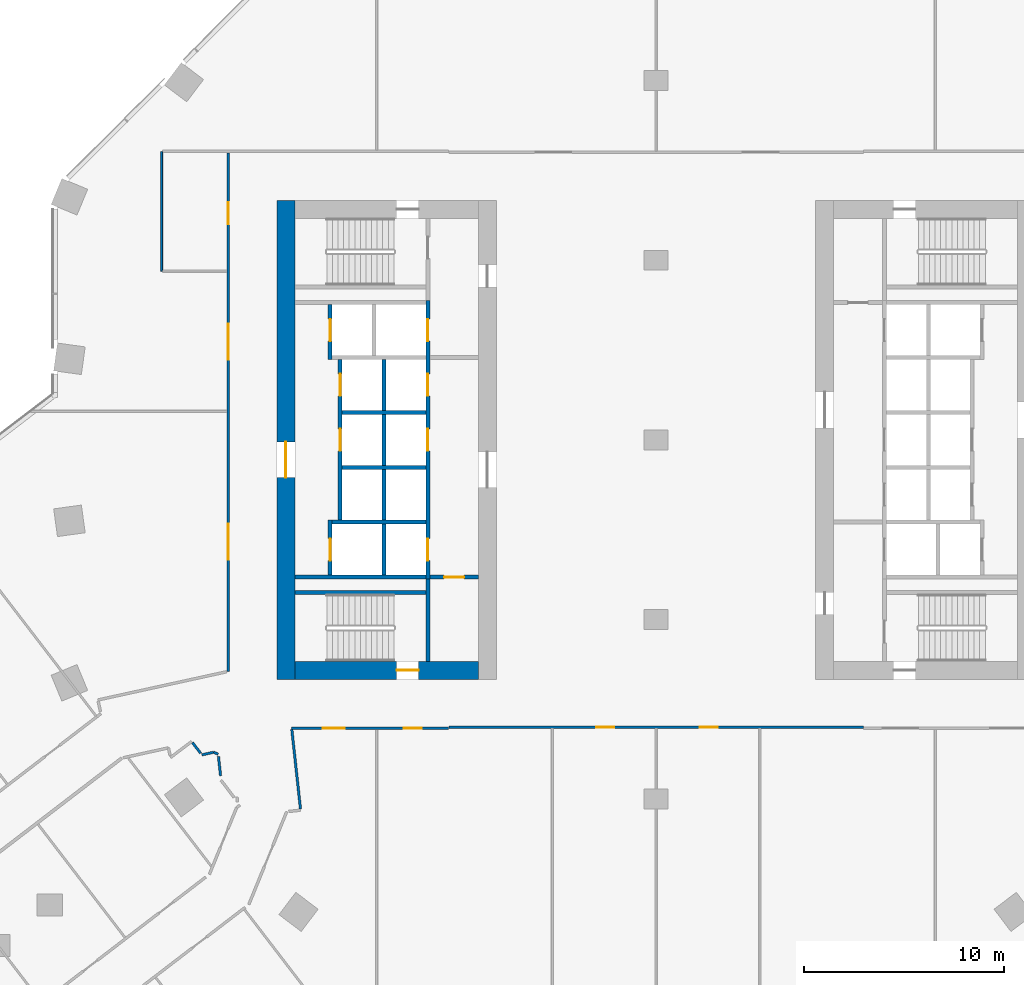
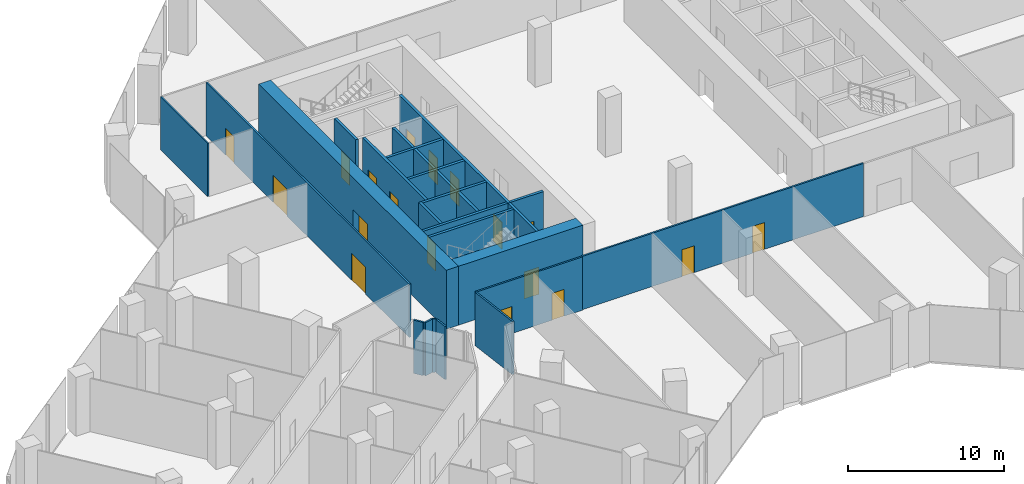
# One storey, part 24 of 30: 26 walls, 18 doors, 18 openings.
"""IFC4 building model written with IfcOpenShell, lengths in metres."""

from ifc_helpers import new_model, si_unit, direction, frame, frame_2d, origin, place, context, subcontext, project, spatial, rectangle, extrude, material, layer, layer_set, type_object, element, fill, save


model = new_model("IFC4")

# Units and contexts
model_context = context("Model", 3, precision=1e-05, world=origin(), true_north=direction((0.0, 1.0)))
body_context = subcontext(model_context, "Body", "Model", "MODEL_VIEW")
ifc_project = project(units=[si_unit("LENGTHUNIT", "METRE"), si_unit("AREAUNIT", "SQUARE_METRE"), si_unit("VOLUMEUNIT", "CUBIC_METRE"), si_unit("PLANEANGLEUNIT", "RADIAN"), si_unit("MASSUNIT", "GRAM", prefix="KILO")], contexts=[model_context])

# Site, building, storey
site_placement = place(None, origin())
site = spatial("IfcSite", under=ifc_project, at=site_placement, CompositionType="ELEMENT")
building_placement = place(site_placement, origin())
building = spatial("IfcBuilding", under=site, at=building_placement, Name="Orlundy Tower", CompositionType="ELEMENT")
storey_placement = place(building_placement, frame((0.0, 0.0, 20.5)))
storey = spatial("IfcBuildingStorey", under=building, at=storey_placement, Name="L03", CompositionType="ELEMENT", Elevation=20.5)

# Wall, opening, door
ifc_material_1 = material(Name="Concrete C80/95", Category="concrete")
ifc_layer_1 = layer(ifc_material_1, 0.89990234375)
ifc_layer_set_1 = layer_set([ifc_layer_1], Name="CORE WALL 900 C80/95")
wall_type_1 = type_object("IfcWallType", Name="CORE WALL 900 C80/95", PredefinedType="SHEAR", material=ifc_layer_set_1)
wall_1_placement = place(storey_placement, frame((-18.10009765625, -11.550048828125, 0.0), z_axis=(0.0, 0.0, 1.0), x_axis=(1.0, 0.0, 0.0)))
wall_1 = element("IfcWall", 1, at=wall_1_placement, inside=storey, type_object=wall_type_1, Name="Core wall W-S L03", PredefinedType="SHEAR", context=body_context, shape_type="SweptSolid", body=[
    extrude(rectangle(XDim=9.2001953125, YDim=0.89990234375, at=frame_2d((4.60009765625, 0.0))), origin(), (0.0, 0.0, 1.0), 4.60009765625),
])
opening_1_placement = place(wall_1_placement, frame((5.10009765625, 0.0, 0.0)))
opening_1 = element("IfcOpeningElement", 2, at=opening_1_placement, cuts=wall_1, Name="Opening 04013", PredefinedType="OPENING", context=body_context, shape_type="SweptSolid", body=[
    extrude(rectangle(XDim=1.10009765625, YDim=2.10009765625, at=frame_2d((0.550048828125, 1.050048828125))), frame((0.0, 0.4599609375, 0.0), z_axis=(0.0, -1.0, 0.0), x_axis=(1.0, 0.0, 0.0)), (0.0, 0.0, 1.0), 0.919921875),
])
ifc_material_2 = material(Name="Steel door set", Category="steel")
door_type_1 = type_object("IfcDoorType", Name="Stair Door 1100x2100", OperationType="SINGLE_SWING_LEFT", PredefinedType="DOOR", material=ifc_material_2)
door_1_placement = place(opening_1_placement, origin())
door_1 = element("IfcDoor", 3, at=door_1_placement, inside=storey, type_object=door_type_1, Name="Stair door 04013", OperationType="SINGLE_SWING_RIGHT", OverallHeight=2.10009765625, OverallWidth=1.10009765625, PredefinedType="DOOR", context=body_context, shape_type="SweptSolid", body=[
    extrude(rectangle(XDim=1.10009765625, YDim=2.10009765625, at=frame_2d((0.550048828125, 1.050048828125))), frame((0.0, 0.02490234375, 0.0), z_axis=(0.0, -1.0, 0.0), x_axis=(1.0, 0.0, 0.0)), (0.0, 0.0, 1.0), 0.050048828125),
])
fill(opening_1, door_1)

wall_2_placement = place(storey_placement, frame((-18.550048828125, -12.0, 0.0), z_axis=(0.0, 0.0, 1.0), x_axis=(0.0, 1.0, 0.0)))
wall_2 = element("IfcWall", 4, at=wall_2_placement, inside=storey, type_object=wall_type_1, Name="Core wall W-W L03", PredefinedType="SHEAR", context=body_context, shape_type="SweptSolid", body=[
    extrude(rectangle(XDim=24.0, YDim=0.89990234375, at=frame_2d((12.0, 0.0))), origin(), (0.0, 0.0, 1.0), 4.60009765625),
])
opening_2_placement = place(wall_2_placement, frame((10.10009765625, 0.0, 0.0)))
opening_2 = element("IfcOpeningElement", 5, at=opening_2_placement, cuts=wall_2, Name="Opening 04010", PredefinedType="OPENING", context=body_context, shape_type="SweptSolid", body=[
    extrude(rectangle(XDim=1.800048828125, YDim=2.10009765625, at=frame_2d((0.89990234375, 1.050048828125))), frame((0.0, 0.4599609375, 0.0), z_axis=(0.0, -1.0, 0.0), x_axis=(1.0, 0.0, 0.0)), (0.0, 0.0, 1.0), 0.919921875),
])
ifc_material_3 = material(Name="Timber door set", Category="wood")
door_type_2 = type_object("IfcDoorType", Name="Lobby Door 1800x2100", OperationType="DOUBLE_DOOR_DOUBLE_SWING", PredefinedType="DOOR", material=ifc_material_3)
door_2_placement = place(opening_2_placement, origin())
door_2 = element("IfcDoor", 6, at=door_2_placement, inside=storey, type_object=door_type_2, Name="Lift lobby door 04010", OperationType="SINGLE_SWING_LEFT", OverallHeight=2.10009765625, OverallWidth=1.800048828125, PredefinedType="DOOR", context=body_context, shape_type="SweptSolid", body=[
    extrude(rectangle(XDim=1.800048828125, YDim=2.10009765625, at=frame_2d((0.89990234375, 1.050048828125))), frame((0.0, 0.02490234375, 0.0), z_axis=(0.0, -1.0, 0.0), x_axis=(1.0, 0.0, 0.0)), (0.0, 0.0, 1.0), 0.050048828125),
])
fill(opening_2, door_2)

# Walls
ifc_material_4 = material(Name="Gypsum board partition")
ifc_layer_2 = layer(ifc_material_4, 0.10009765625)
ifc_layer_set_2 = layer_set([ifc_layer_2], Name="Floor partition 100")
wall_type_2 = type_object("IfcWallType", Name="Floor partition 100", PredefinedType="PARTITIONING", material=ifc_layer_set_2)
wall_3_placement = place(storey_placement, frame((-24.781982421875, 8.448974609375, 0.0), z_axis=(0.0, 0.0, 1.0), x_axis=(0.0, 1.0, 0.0)))
element("IfcWall", 7, at=wall_3_placement, inside=storey, type_object=wall_type_2, Name="wall-int-L03-068", PredefinedType="PARTITIONING", context=body_context, shape_type="SweptSolid", body=[
    extrude(rectangle(XDim=6.0, YDim=0.10009765625, at=frame_2d((3.0, 0.0))), origin(), (0.0, 0.0, 1.0), 4.159912109375),
])
ifc_material_5 = material(Name="Gypsum board partition, double layer")
ifc_layer_3 = layer(ifc_material_5, 0.125)
ifc_layer_set_3 = layer_set([ifc_layer_3], Name="Floor partition 125")
wall_type_3 = type_object("IfcWallType", Name="Floor partition 125", PredefinedType="PARTITIONING", material=ifc_layer_set_3)
wall_4_placement = place(storey_placement, frame((-21.930908203125, -15.864013671875, 0.0), z_axis=(0.0, 0.0, 1.0), x_axis=(0.10837572028, -0.99411000561, 0.0)))
element("IfcWall", 8, at=wall_4_placement, inside=storey, type_object=wall_type_3, Name="wall-int-L03-002", PredefinedType="PARTITIONING", context=body_context, shape_type="SweptSolid", body=[
    extrude(rectangle(XDim=0.977783203125, YDim=0.125, at=frame_2d((0.48876953125, 0.0))), origin(), (0.0, 0.0, 1.0), 4.159912109375),
])
wall_5_placement = place(storey_placement, frame((-18.2548828125, -14.512939453125, 0.0), z_axis=(0.0, 0.0, 1.0), x_axis=(0.108304050005, -0.994117816334, 0.0)))
element("IfcWall", 9, at=wall_5_placement, inside=storey, type_object=wall_type_3, Name="wall-int-L03-003", PredefinedType="PARTITIONING", context=body_context, shape_type="SweptSolid", body=[
    extrude(rectangle(XDim=4.005859375, YDim=0.125, at=frame_2d((2.0029296875, 0.0))), origin(), (0.0, 0.0, 1.0), 4.159912109375),
])
wall_6_placement = place(storey_placement, frame((-23.23388671875, -15.16796875, 0.0), z_axis=(0.0, 0.0, 1.0), x_axis=(0.602990949897, -0.797748026849, 0.0)))
element("IfcWall", 10, at=wall_6_placement, inside=storey, type_object=wall_type_3, Name="wall-int-L03-006", PredefinedType="PARTITIONING", context=body_context, shape_type="SweptSolid", body=[
    extrude(rectangle(XDim=0.67822265625, YDim=0.125, at=frame_2d((0.339111328125, 0.0))), origin(), (0.0, 0.0, 1.0), 4.159912109375),
])
wall_7_placement = place(storey_placement, frame((-22.169921875, -15.656005859375, 0.0), z_axis=(0.0, 0.0, 1.0), x_axis=(0.914864311429, -0.403761429156, 0.0)))
element("IfcWall", 11, at=wall_7_placement, inside=storey, type_object=wall_type_3, Name="wall-int-L03-023", PredefinedType="PARTITIONING", context=body_context, shape_type="SweptSolid", body=[
    extrude(rectangle(XDim=0.247802734375, YDim=0.125, at=frame_2d((0.1240234375, 0.0))), origin(), (0.0, 0.0, 1.0), 4.159912109375),
])

# Wall, openings, doors
wall_8_placement = place(storey_placement, frame((-10.39111328125, -14.450927734375, 0.0), z_axis=(0.0, 0.0, 1.0), x_axis=(-1.0, 0.0, 0.0)))
wall_8 = element("IfcWall", 12, at=wall_8_placement, inside=storey, type_object=wall_type_3, Name="wall-int-L03-024", PredefinedType="PARTITIONING", context=body_context, shape_type="SweptSolid", body=[
    extrude(rectangle(XDim=7.870849609375, YDim=0.125, at=frame_2d((3.935546875, 0.0))), origin(), (0.0, 0.0, 1.0), 4.159912109375),
])
opening_3_placement = place(wall_8_placement, frame((5.208984375, 0.0, 0.0)))
opening_3 = element("IfcOpeningElement", 13, at=opening_3_placement, cuts=wall_8, Name="Opening 04116", PredefinedType="OPENING", context=body_context, shape_type="SweptSolid", body=[
    extrude(rectangle(XDim=1.10009765625, YDim=2.10009765625, at=frame_2d((0.550048828125, 1.050048828125))), frame((0.0, 0.072509765625, 0.0), z_axis=(0.0, -1.0, 0.0), x_axis=(1.0, 0.0, 0.0)), (0.0, 0.0, 1.0), 0.14501953125),
])
opening_4_placement = place(wall_8_placement, frame((1.35009765625, 0.0, 0.0)))
opening_4 = element("IfcOpeningElement", 14, at=opening_4_placement, cuts=wall_8, Name="Opening 04117", PredefinedType="OPENING", context=body_context, shape_type="SweptSolid", body=[
    extrude(rectangle(XDim=0.89990234375, YDim=2.10009765625, at=frame_2d((0.449951171875, 1.050048828125))), frame((0.0, 0.072509765625, 0.0), z_axis=(0.0, -1.0, 0.0), x_axis=(1.0, 0.0, 0.0)), (0.0, 0.0, 1.0), 0.14501953125),
])
ifc_material_6 = material(Name="Timber door leaf", Category="wood")
door_type_3 = type_object("IfcDoorType", Name="Floor door single 900 FD30S", OperationType="NOTDEFINED", PredefinedType="DOOR", material=ifc_material_6)
door_3_placement = place(opening_4_placement, origin())
door_3 = element("IfcDoor", 15, at=door_3_placement, inside=storey, type_object=door_type_3, Name="Door 04117", OperationType="SINGLE_SWING_LEFT", OverallHeight=2.10009765625, OverallWidth=0.89990234375, PredefinedType="DOOR", context=body_context, shape_type="SweptSolid", body=[
    extrude(rectangle(XDim=0.89990234375, YDim=2.10009765625, at=frame_2d((0.449951171875, 1.050048828125))), frame((0.0, 0.02490234375, 0.0), z_axis=(0.0, -1.0, 0.0), x_axis=(1.0, 0.0, 0.0)), (0.0, 0.0, 1.0), 0.050048828125),
])
fill(opening_4, door_3)
ifc_material_7 = material(Name="Timber door leaf", Category="wood")
door_type_4 = type_object("IfcDoorType", Name="Floor door xwide 1100 FD30S", OperationType="NOTDEFINED", PredefinedType="DOOR", material=ifc_material_7)
door_4_placement = place(opening_3_placement, origin())
door_4 = element("IfcDoor", 16, at=door_4_placement, inside=storey, type_object=door_type_4, Name="Door 04116", OperationType="SINGLE_SWING_RIGHT", OverallHeight=2.10009765625, OverallWidth=1.10009765625, PredefinedType="DOOR", context=body_context, shape_type="SweptSolid", body=[
    extrude(rectangle(XDim=1.10009765625, YDim=2.10009765625, at=frame_2d((0.550048828125, 1.050048828125))), frame((0.0, 0.02490234375, 0.0), z_axis=(0.0, -1.0, 0.0), x_axis=(1.0, 0.0, 0.0)), (0.0, 0.0, 1.0), 0.050048828125),
])
fill(opening_3, door_4)

wall_9_placement = place(storey_placement, frame((10.39111328125, -14.40087890625, 0.0), z_axis=(0.0, 0.0, 1.0), x_axis=(-1.0, 0.0, 0.0)))
wall_9 = element("IfcWall", 17, at=wall_9_placement, inside=storey, type_object=wall_type_3, Name="wall-int-L03-026", PredefinedType="PARTITIONING", context=body_context, shape_type="SweptSolid", body=[
    extrude(rectangle(XDim=20.781005859375, YDim=0.125, at=frame_2d((10.390625, 0.0))), origin(), (0.0, 0.0, 1.0), 4.159912109375),
])
opening_5_placement = place(wall_9_placement, frame((12.490966796875, 0.0, 0.0)))
opening_5 = element("IfcOpeningElement", 18, at=opening_5_placement, cuts=wall_9, Name="Opening 04118", PredefinedType="OPENING", context=body_context, shape_type="SweptSolid", body=[
    extrude(rectangle(XDim=0.89990234375, YDim=2.10009765625, at=frame_2d((0.449951171875, 1.050048828125))), frame((0.0, 0.072509765625, 0.0), z_axis=(0.0, -1.0, 0.0), x_axis=(1.0, 0.0, 0.0)), (0.0, 0.0, 1.0), 0.14501953125),
])
opening_6_placement = place(wall_9_placement, frame((7.294921875, 0.0, 0.0)))
opening_6 = element("IfcOpeningElement", 19, at=opening_6_placement, cuts=wall_9, Name="Opening 04119", PredefinedType="OPENING", context=body_context, shape_type="SweptSolid", body=[
    extrude(rectangle(XDim=0.89990234375, YDim=2.10009765625, at=frame_2d((0.449951171875, 1.050048828125))), frame((0.0, 0.072509765625, 0.0), z_axis=(0.0, -1.0, 0.0), x_axis=(1.0, 0.0, 0.0)), (0.0, 0.0, 1.0), 0.14501953125),
])
door_5_placement = place(opening_5_placement, origin())
door_5 = element("IfcDoor", 20, at=door_5_placement, inside=storey, type_object=door_type_3, Name="Door 04118", OperationType="SINGLE_SWING_RIGHT", OverallHeight=2.10009765625, OverallWidth=0.89990234375, PredefinedType="DOOR", context=body_context, shape_type="SweptSolid", body=[
    extrude(rectangle(XDim=0.89990234375, YDim=2.10009765625, at=frame_2d((0.449951171875, 1.050048828125))), frame((0.0, 0.02490234375, 0.0), z_axis=(0.0, -1.0, 0.0), x_axis=(1.0, 0.0, 0.0)), (0.0, 0.0, 1.0), 0.050048828125),
])
fill(opening_5, door_5)
door_6_placement = place(opening_6_placement, origin())
door_6 = element("IfcDoor", 21, at=door_6_placement, inside=storey, type_object=door_type_3, Name="Door 04119", OperationType="SINGLE_SWING_LEFT", OverallHeight=2.10009765625, OverallWidth=0.89990234375, PredefinedType="DOOR", context=body_context, shape_type="SweptSolid", body=[
    extrude(rectangle(XDim=0.89990234375, YDim=2.10009765625, at=frame_2d((0.449951171875, 1.050048828125))), frame((0.0, 0.02490234375, 0.0), z_axis=(0.0, -1.0, 0.0), x_axis=(1.0, 0.0, 0.0)), (0.0, 0.0, 1.0), 0.050048828125),
])
fill(opening_6, door_6)

# Wall
wall_10_placement = place(storey_placement, frame((-22.764892578125, -15.787109375, 0.0), z_axis=(0.0, 0.0, 1.0), x_axis=(0.97657209397, 0.215190486033, 0.0)))
element("IfcWall", 22, at=wall_10_placement, inside=storey, type_object=wall_type_3, Name="wall-int-L03-037", PredefinedType="PARTITIONING", context=body_context, shape_type="SweptSolid", body=[
    extrude(rectangle(XDim=0.609130859375, YDim=0.125, at=frame_2d((0.3046875, 0.0))), origin(), (0.0, 0.0, 1.0), 4.159912109375),
])

# Wall, openings, doors
wall_11_placement = place(storey_placement, frame((-21.449951171875, -11.60693359375, 0.0), z_axis=(0.0, 0.0, 1.0), x_axis=(0.0, 1.0, 0.0)))
wall_11 = element("IfcWall", 23, at=wall_11_placement, inside=storey, type_object=wall_type_3, Name="wall-int-L03-067", PredefinedType="PARTITIONING", context=body_context, shape_type="SweptSolid", body=[
    extrude(rectangle(XDim=25.992919921875, YDim=0.125, at=frame_2d((12.99658203125, 0.0))), origin(), (0.0, 0.0, 1.0), 4.159912109375),
])
opening_7_placement = place(wall_11_placement, frame((5.60009765625, 0.0, 0.0)))
opening_7 = element("IfcOpeningElement", 24, at=opening_7_placement, cuts=wall_11, Name="Opening 04113", PredefinedType="OPENING", context=body_context, shape_type="SweptSolid", body=[
    extrude(rectangle(XDim=1.800048828125, YDim=2.10009765625, at=frame_2d((0.89990234375, 1.050048828125))), frame((0.0, 0.072509765625, 0.0), z_axis=(0.0, -1.0, 0.0), x_axis=(1.0, 0.0, 0.0)), (0.0, 0.0, 1.0), 0.14501953125),
])
opening_8_placement = place(wall_11_placement, frame((15.626953125, 0.0, 0.0)))
opening_8 = element("IfcOpeningElement", 25, at=opening_8_placement, cuts=wall_11, Name="Opening 04127", PredefinedType="OPENING", context=body_context, shape_type="SweptSolid", body=[
    extrude(rectangle(XDim=1.800048828125, YDim=2.10009765625, at=frame_2d((0.89990234375, 1.050048828125))), frame((0.0, 0.072509765625, 0.0), z_axis=(0.0, -1.0, 0.0), x_axis=(1.0, 0.0, 0.0)), (0.0, 0.0, 1.0), 0.14501953125),
])
opening_9_placement = place(wall_11_placement, frame((22.406005859375, 0.0, 0.0)))
opening_9 = element("IfcOpeningElement", 26, at=opening_9_placement, cuts=wall_11, Name="Opening 04129", PredefinedType="OPENING", context=body_context, shape_type="SweptSolid", body=[
    extrude(rectangle(XDim=1.10009765625, YDim=2.10009765625, at=frame_2d((0.550048828125, 1.050048828125))), frame((0.0, 0.072509765625, 0.0), z_axis=(0.0, -1.0, 0.0), x_axis=(1.0, 0.0, 0.0)), (0.0, 0.0, 1.0), 0.14501953125),
])
ifc_material_8 = material(Name="Timber door leaf", Category="wood")
door_type_5 = type_object("IfcDoorType", Name="Floor door double 1800 FD30S", OperationType="NOTDEFINED", PredefinedType="DOOR", material=ifc_material_8)
door_7_placement = place(opening_7_placement, origin())
door_7 = element("IfcDoor", 27, at=door_7_placement, inside=storey, type_object=door_type_5, Name="Door 04113", OperationType="DOUBLE_DOOR_SINGLE_SWING", OverallHeight=2.10009765625, OverallWidth=1.800048828125, PredefinedType="DOOR", context=body_context, shape_type="SweptSolid", body=[
    extrude(rectangle(XDim=1.800048828125, YDim=2.10009765625, at=frame_2d((0.89990234375, 1.050048828125))), frame((0.0, 0.02490234375, 0.0), z_axis=(0.0, -1.0, 0.0), x_axis=(1.0, 0.0, 0.0)), (0.0, 0.0, 1.0), 0.050048828125),
])
fill(opening_7, door_7)
door_8_placement = place(opening_8_placement, origin())
door_8 = element("IfcDoor", 28, at=door_8_placement, inside=storey, type_object=door_type_5, Name="Door 04127", OperationType="DOUBLE_DOOR_SINGLE_SWING", OverallHeight=2.10009765625, OverallWidth=1.800048828125, PredefinedType="DOOR", context=body_context, shape_type="SweptSolid", body=[
    extrude(rectangle(XDim=1.800048828125, YDim=2.10009765625, at=frame_2d((0.89990234375, 1.050048828125))), frame((0.0, 0.02490234375, 0.0), z_axis=(0.0, -1.0, 0.0), x_axis=(1.0, 0.0, 0.0)), (0.0, 0.0, 1.0), 0.050048828125),
])
fill(opening_8, door_8)
door_9_placement = place(opening_9_placement, origin())
door_9 = element("IfcDoor", 29, at=door_9_placement, inside=storey, type_object=door_type_4, Name="Door 04129", OperationType="SINGLE_SWING_RIGHT", OverallHeight=2.10009765625, OverallWidth=1.10009765625, PredefinedType="DOOR", context=body_context, shape_type="SweptSolid", body=[
    extrude(rectangle(XDim=1.10009765625, YDim=2.10009765625, at=frame_2d((0.550048828125, 1.050048828125))), frame((0.0, 0.02490234375, 0.0), z_axis=(0.0, -1.0, 0.0), x_axis=(1.0, 0.0, 0.0)), (0.0, 0.0, 1.0), 0.050048828125),
])
fill(opening_9, door_9)

# Walls
ifc_material_9 = material(Name="Concrete C40/50", Category="concrete")
ifc_layer_4 = layer(ifc_material_9, 0.199951171875)
ifc_layer_set_4 = layer_set([ifc_layer_4], Name="Load-bearing Shaft Wall 200")
wall_type_4 = type_object("IfcWallType", Name="Load-bearing Shaft Wall 200", PredefinedType="SOLIDWALL", material=ifc_layer_set_4)
wall_12_placement = place(storey_placement, frame((-11.43994140625, -11.10009765625, 0.0), z_axis=(0.0, 0.0, 1.0), x_axis=(0.0, 1.0, 0.0)))
element("IfcWall", 30, at=wall_12_placement, inside=storey, type_object=wall_type_4, Name="Shaft wall W04-stair-end-s", PredefinedType="SOLIDWALL", context=body_context, shape_type="SweptSolid", body=[
    extrude(rectangle(XDim=4.125, YDim=0.199951171875, at=frame_2d((2.0625, 0.0))), origin(), (0.0, 0.0, 1.0), 4.179931640625),
])
wall_13_placement = place(storey_placement, frame((-11.5400390625, -7.64990234375, 0.0), z_axis=(0.0, 0.0, 1.0), x_axis=(-1.0, 0.0, 0.0)))
element("IfcWall", 31, at=wall_13_placement, inside=storey, type_object=wall_type_4, Name="Shaft wall W04-stair-side-s", PredefinedType="SOLIDWALL", context=body_context, shape_type="SweptSolid", body=[
    extrude(rectangle(XDim=6.56005859375, YDim=0.199951171875, at=frame_2d((3.280029296875, 0.0))), origin(), (0.0, 0.0, 1.0), 4.179931640625),
])

# Wall, opening, door
ifc_material_10 = material(Name="Gypsum board partition on steel studs", Category="steel")
ifc_layer_5 = layer(ifc_material_10, 0.199951171875)
ifc_layer_set_5 = layer_set([ifc_layer_5], Name="Partition 200")
wall_type_5 = type_object("IfcWallType", Name="Partition 200", PredefinedType="PARTITIONING", material=ifc_layer_set_5)
wall_14_placement = place(storey_placement, frame((-8.89990234375, -6.875, 0.0), z_axis=(0.0, 0.0, 1.0), x_axis=(-1.0, 0.0, 0.0)))
wall_14 = element("IfcWall", 32, at=wall_14_placement, inside=storey, type_object=wall_type_5, Name="Partition wall W04-end-s", PredefinedType="PARTITIONING", context=body_context, shape_type="SweptSolid", body=[
    extrude(rectangle(XDim=2.440185546875, YDim=0.199951171875, at=frame_2d((1.22021484375, 0.0))), origin(), (0.0, 0.0, 1.0), 4.179931640625),
])
opening_10_placement = place(wall_14_placement, frame((0.719970703125, 0.0, 0.0)))
opening_10 = element("IfcOpeningElement", 33, at=opening_10_placement, cuts=wall_14, Name="Opening 04015", PredefinedType="OPENING", context=body_context, shape_type="SweptSolid", body=[
    extrude(rectangle(XDim=1.0, YDim=2.10009765625, at=frame_2d((0.5, 1.050048828125))), frame((0.0, 0.110107421875, 0.0), z_axis=(0.0, -1.0, 0.0), x_axis=(1.0, 0.0, 0.0)), (0.0, 0.0, 1.0), 0.22021484375),
])
ifc_material_11 = material(Name="Timber door set", Category="wood")
door_type_6 = type_object("IfcDoorType", Name="Accessible Door 1000x2100", OperationType="SINGLE_SWING_LEFT", PredefinedType="DOOR", material=ifc_material_11)
door_10_placement = place(opening_10_placement, origin())
door_10 = element("IfcDoor", 34, at=door_10_placement, inside=storey, type_object=door_type_6, Name="Accessible WC door 04015", OperationType="SINGLE_SWING_RIGHT", OverallHeight=2.10009765625, OverallWidth=1.0, PredefinedType="DOOR", context=body_context, shape_type="SweptSolid", body=[
    extrude(rectangle(XDim=1.0, YDim=2.10009765625, at=frame_2d((0.5, 1.050048828125))), frame((0.0, 0.02490234375, 0.0), z_axis=(0.0, -1.0, 0.0), x_axis=(1.0, 0.0, 0.0)), (0.0, 0.0, 1.0), 0.050048828125),
])
fill(opening_10, door_10)

# Walls
ifc_material_12 = material(Name="Fire-rated blockwork shaft wall", Category="masonry")
ifc_layer_6 = layer(ifc_material_12, 0.199951171875)
ifc_layer_set_6 = layer_set([ifc_layer_6], Name="Shaft Wall 200")
wall_type_6 = type_object("IfcWallType", Name="Shaft Wall 200", PredefinedType="SOLIDWALL", material=ifc_layer_set_6)
wall_15_placement = place(storey_placement, frame((-11.5400390625, -6.875, 0.0), z_axis=(0.0, 0.0, 1.0), x_axis=(-1.0, 0.0, 0.0)))
element("IfcWall", 35, at=wall_15_placement, inside=storey, type_object=wall_type_6, Name="Shaft wall W04-zone-s", PredefinedType="SOLIDWALL", context=body_context, shape_type="SweptSolid", body=[
    extrude(rectangle(XDim=6.56005859375, YDim=0.199951171875, at=frame_2d((3.280029296875, 0.0))), origin(), (0.0, 0.0, 1.0), 4.179931640625),
])
wall_16_placement = place(storey_placement, frame((-11.5400390625, -4.125, 0.0), z_axis=(0.0, 0.0, 1.0), x_axis=(-1.0, 0.0, 0.0)))
element("IfcWall", 36, at=wall_16_placement, inside=storey, type_object=wall_type_6, Name="Shaft wall W04-cross-4.125", PredefinedType="SOLIDWALL", context=body_context, shape_type="SweptSolid", body=[
    extrude(rectangle(XDim=4.699951171875, YDim=0.199951171875, at=frame_2d((2.35009765625, 0.0))), origin(), (0.0, 0.0, 1.0), 4.179931640625),
])
for number, where, z_axis, x_axis, name in (
    (37, (-11.5400390625, -1.375, 0.0), (0.0, 0.0, 1.0), (-1.0, 0.0, 0.0), "Shaft wall W04-cross-1.375"),
    (38, (-11.5400390625, 1.375, 0.0), (0.0, 0.0, 1.0), (-1.0, 0.0, 0.0), "Shaft wall W04-cross+1.375"),
):
    element("IfcWall", number, at=place(storey_placement, frame(where, z_axis=z_axis, x_axis=x_axis)), inside=storey, type_object=wall_type_6, Name=name, PredefinedType="SOLIDWALL", context=body_context, shape_type="SweptSolid", body=[
        extrude(rectangle(XDim=4.199951171875, YDim=0.199951171875, at=frame_2d((2.10009765625, 0.0))), origin(), (0.0, 0.0, 1.0), 4.179931640625),
    ])

# Wall, openings, doors
wall_17_placement = place(storey_placement, frame((-11.43994140625, -6.97509765625, 0.0), z_axis=(0.0, 0.0, 1.0), x_axis=(0.0, 1.0, 0.0)))
wall_17 = element("IfcWall", 39, at=wall_17_placement, inside=storey, type_object=wall_type_6, Name="Shaft wall W04-front-h", PredefinedType="SOLIDWALL", context=body_context, shape_type="SweptSolid", body=[
    extrude(rectangle(XDim=13.9501953125, YDim=0.199951171875, at=frame_2d((6.97509765625, 0.0))), origin(), (0.0, 0.0, 1.0), 4.179931640625),
])
opening_11_placement = place(wall_17_placement, frame((0.925048828125, 0.0, 0.0)))
opening_11 = element("IfcOpeningElement", 40, at=opening_11_placement, cuts=wall_17, Name="Opening 04001", PredefinedType="OPENING", context=body_context, shape_type="SweptSolid", body=[
    extrude(rectangle(XDim=1.10009765625, YDim=2.10009765625, at=frame_2d((0.550048828125, 1.050048828125))), frame((0.0, 0.110107421875, 0.0), z_axis=(0.0, -1.0, 0.0), x_axis=(1.0, 0.0, 0.0)), (0.0, 0.0, 1.0), 0.22021484375),
])
opening_12_placement = place(wall_17_placement, frame((6.425048828125, 0.0, 0.0)))
opening_12 = element("IfcOpeningElement", 41, at=opening_12_placement, cuts=wall_17, Name="Opening 04003", PredefinedType="OPENING", context=body_context, shape_type="SweptSolid", body=[
    extrude(rectangle(XDim=1.10009765625, YDim=2.10009765625, at=frame_2d((0.550048828125, 1.050048828125))), frame((0.0, 0.110107421875, 0.0), z_axis=(0.0, -1.0, 0.0), x_axis=(1.0, 0.0, 0.0)), (0.0, 0.0, 1.0), 0.22021484375),
])
opening_13_placement = place(wall_17_placement, frame((9.175048828125, 0.0, 0.0)))
opening_13 = element("IfcOpeningElement", 42, at=opening_13_placement, cuts=wall_17, Name="Opening 04005", PredefinedType="OPENING", context=body_context, shape_type="SweptSolid", body=[
    extrude(rectangle(XDim=1.10009765625, YDim=2.10009765625, at=frame_2d((0.550048828125, 1.050048828125))), frame((0.0, 0.110107421875, 0.0), z_axis=(0.0, -1.0, 0.0), x_axis=(1.0, 0.0, 0.0)), (0.0, 0.0, 1.0), 0.22021484375),
])
opening_14_placement = place(wall_17_placement, frame((11.925048828125, 0.0, 0.0)))
opening_14 = element("IfcOpeningElement", 43, at=opening_14_placement, cuts=wall_17, Name="Opening 04007", PredefinedType="OPENING", context=body_context, shape_type="SweptSolid", body=[
    extrude(rectangle(XDim=1.10009765625, YDim=2.10009765625, at=frame_2d((0.550048828125, 1.050048828125))), frame((0.0, 0.110107421875, 0.0), z_axis=(0.0, -1.0, 0.0), x_axis=(1.0, 0.0, 0.0)), (0.0, 0.0, 1.0), 0.22021484375),
])
ifc_material_13 = material(Name="Steel door set", Category="steel")
door_type_7 = type_object("IfcDoorType", Name="Landing Door 1100x2100", OperationType="DOUBLE_DOOR_SLIDING", PredefinedType="DOOR", material=ifc_material_13)
door_11_placement = place(opening_11_placement, origin())
door_11 = element("IfcDoor", 44, at=door_11_placement, inside=storey, type_object=door_type_7, Name="Lift landing door LPD-01 04001", OperationType="DOUBLE_DOOR_SLIDING", OverallHeight=2.10009765625, OverallWidth=1.10009765625, PredefinedType="DOOR", context=body_context, shape_type="SweptSolid", body=[
    extrude(rectangle(XDim=1.10009765625, YDim=2.10009765625, at=frame_2d((0.550048828125, 1.050048828125))), frame((0.0, 0.02490234375, 0.0), z_axis=(0.0, -1.0, 0.0), x_axis=(1.0, 0.0, 0.0)), (0.0, 0.0, 1.0), 0.050048828125),
])
fill(opening_11, door_11)
door_12_placement = place(opening_12_placement, origin())
door_12 = element("IfcDoor", 45, at=door_12_placement, inside=storey, type_object=door_type_7, Name="Lift landing door LP-05 04003", OperationType="DOUBLE_DOOR_SLIDING", OverallHeight=2.10009765625, OverallWidth=1.10009765625, PredefinedType="DOOR", context=body_context, shape_type="SweptSolid", body=[
    extrude(rectangle(XDim=1.10009765625, YDim=2.10009765625, at=frame_2d((0.550048828125, 1.050048828125))), frame((0.0, 0.02490234375, 0.0), z_axis=(0.0, -1.0, 0.0), x_axis=(1.0, 0.0, 0.0)), (0.0, 0.0, 1.0), 0.050048828125),
])
fill(opening_12, door_12)
door_13_placement = place(opening_13_placement, origin())
door_13 = element("IfcDoor", 46, at=door_13_placement, inside=storey, type_object=door_type_7, Name="Lift landing door LP-02 04005", OperationType="DOUBLE_DOOR_SLIDING", OverallHeight=2.10009765625, OverallWidth=1.10009765625, PredefinedType="DOOR", context=body_context, shape_type="SweptSolid", body=[
    extrude(rectangle(XDim=1.10009765625, YDim=2.10009765625, at=frame_2d((0.550048828125, 1.050048828125))), frame((0.0, 0.02490234375, 0.0), z_axis=(0.0, -1.0, 0.0), x_axis=(1.0, 0.0, 0.0)), (0.0, 0.0, 1.0), 0.050048828125),
])
fill(opening_13, door_13)
door_14_placement = place(opening_14_placement, origin())
door_14 = element("IfcDoor", 47, at=door_14_placement, inside=storey, type_object=door_type_7, Name="Lift landing door FL1 04007", OperationType="DOUBLE_DOOR_SLIDING", OverallHeight=2.10009765625, OverallWidth=1.10009765625, PredefinedType="DOOR", context=body_context, shape_type="SweptSolid", body=[
    extrude(rectangle(XDim=1.10009765625, YDim=2.10009765625, at=frame_2d((0.550048828125, 1.050048828125))), frame((0.0, 0.02490234375, 0.0), z_axis=(0.0, -1.0, 0.0), x_axis=(1.0, 0.0, 0.0)), (0.0, 0.0, 1.0), 0.050048828125),
])
fill(opening_14, door_14)

# Walls
for number, where, z_axis, x_axis, name in (
    (48, (-13.639892578125, -6.77490234375, 0.0), (0.0, 0.0, 1.0), (0.0, 1.0, 0.0), "Shaft wall W04-mid-a"),
    (49, (-13.639892578125, -4.02490234375, 0.0), (0.0, 0.0, 1.0), (0.0, 1.0, 0.0), "Shaft wall W04-mid-a.1"),
    (50, (-13.639892578125, -1.27490234375, 0.0), (0.0, 0.0, 1.0), (0.0, 1.0, 0.0), "Shaft wall W04-mid-a.2"),
    (51, (-13.639892578125, 1.47509765625, 0.0), (0.0, 0.0, 1.0), (0.0, 1.0, 0.0), "Shaft wall W04-mid-a.3"),
):
    element("IfcWall", number, at=place(storey_placement, frame(where, z_axis=z_axis, x_axis=x_axis)), inside=storey, type_object=wall_type_6, Name=name, PredefinedType="SOLIDWALL", context=body_context, shape_type="SweptSolid", body=[
        extrude(rectangle(XDim=2.5498046875, YDim=0.199951171875, at=frame_2d((1.27490234375, 0.0))), origin(), (0.0, 0.0, 1.0), 4.179931640625),
    ])

# Wall, opening, door
wall_18_placement = place(storey_placement, frame((-16.340087890625, -6.77490234375, 0.0), z_axis=(0.0, 0.0, 1.0), x_axis=(0.0, 1.0, 0.0)))
wall_18 = element("IfcWall", 52, at=wall_18_placement, inside=storey, type_object=wall_type_6, Name="Shaft wall W04-front-o-a", PredefinedType="SOLIDWALL", context=body_context, shape_type="SweptSolid", body=[
    extrude(rectangle(XDim=2.75, YDim=0.199951171875, at=frame_2d((1.375, 0.0))), origin(), (0.0, 0.0, 1.0), 4.179931640625),
])
opening_15_placement = place(wall_18_placement, frame((0.72509765625, 0.0, 0.0)))
opening_15 = element("IfcOpeningElement", 53, at=opening_15_placement, cuts=wall_18, Name="Opening 04002", PredefinedType="OPENING", context=body_context, shape_type="SweptSolid", body=[
    extrude(rectangle(XDim=1.10009765625, YDim=2.10009765625, at=frame_2d((0.550048828125, 1.050048828125))), frame((0.0, 0.110107421875, 0.0), z_axis=(0.0, -1.0, 0.0), x_axis=(1.0, 0.0, 0.0)), (0.0, 0.0, 1.0), 0.22021484375),
])
door_15_placement = place(opening_15_placement, origin())
door_15 = element("IfcDoor", 54, at=door_15_placement, inside=storey, type_object=door_type_7, Name="Lift landing door LV-01 04002", OperationType="DOUBLE_DOOR_SLIDING", OverallHeight=2.10009765625, OverallWidth=1.10009765625, PredefinedType="DOOR", context=body_context, shape_type="SweptSolid", body=[
    extrude(rectangle(XDim=1.10009765625, YDim=2.10009765625, at=frame_2d((0.550048828125, 1.050048828125))), frame((0.0, 0.02490234375, 0.0), z_axis=(0.0, -1.0, 0.0), x_axis=(1.0, 0.0, 0.0)), (0.0, 0.0, 1.0), 0.050048828125),
])
fill(opening_15, door_15)

# Wall, openings, doors
wall_19_placement = place(storey_placement, frame((-15.840087890625, -4.02490234375, 0.0), z_axis=(0.0, 0.0, 1.0), x_axis=(0.0, 1.0, 0.0)))
wall_19 = element("IfcWall", 55, at=wall_19_placement, inside=storey, type_object=wall_type_6, Name="Shaft wall W04-front-o-b", PredefinedType="SOLIDWALL", context=body_context, shape_type="SweptSolid", body=[
    extrude(rectangle(XDim=8.0498046875, YDim=0.199951171875, at=frame_2d((4.02490234375, 0.0))), origin(), (0.0, 0.0, 1.0), 4.179931640625),
])
opening_16_placement = place(wall_19_placement, frame((3.47509765625, 0.0, 0.0)))
opening_16 = element("IfcOpeningElement", 56, at=opening_16_placement, cuts=wall_19, Name="Opening 04004", PredefinedType="OPENING", context=body_context, shape_type="SweptSolid", body=[
    extrude(rectangle(XDim=1.10009765625, YDim=2.10009765625, at=frame_2d((0.550048828125, 1.050048828125))), frame((0.0, 0.110107421875, 0.0), z_axis=(0.0, -1.0, 0.0), x_axis=(1.0, 0.0, 0.0)), (0.0, 0.0, 1.0), 0.22021484375),
])
opening_17_placement = place(wall_19_placement, frame((6.22509765625, 0.0, 0.0)))
opening_17 = element("IfcOpeningElement", 57, at=opening_17_placement, cuts=wall_19, Name="Opening 04006", PredefinedType="OPENING", context=body_context, shape_type="SweptSolid", body=[
    extrude(rectangle(XDim=1.10009765625, YDim=2.10009765625, at=frame_2d((0.550048828125, 1.050048828125))), frame((0.0, 0.110107421875, 0.0), z_axis=(0.0, -1.0, 0.0), x_axis=(1.0, 0.0, 0.0)), (0.0, 0.0, 1.0), 0.22021484375),
])
door_16_placement = place(opening_16_placement, origin())
door_16 = element("IfcDoor", 58, at=door_16_placement, inside=storey, type_object=door_type_7, Name="Lift landing door LP-01 04004", OperationType="DOUBLE_DOOR_SLIDING", OverallHeight=2.10009765625, OverallWidth=1.10009765625, PredefinedType="DOOR", context=body_context, shape_type="SweptSolid", body=[
    extrude(rectangle(XDim=1.10009765625, YDim=2.10009765625, at=frame_2d((0.550048828125, 1.050048828125))), frame((0.0, 0.02490234375, 0.0), z_axis=(0.0, -1.0, 0.0), x_axis=(1.0, 0.0, 0.0)), (0.0, 0.0, 1.0), 0.050048828125),
])
fill(opening_16, door_16)
door_17_placement = place(opening_17_placement, origin())
door_17 = element("IfcDoor", 59, at=door_17_placement, inside=storey, type_object=door_type_7, Name="Lift landing door LP-03 04006", OperationType="DOUBLE_DOOR_SLIDING", OverallHeight=2.10009765625, OverallWidth=1.10009765625, PredefinedType="DOOR", context=body_context, shape_type="SweptSolid", body=[
    extrude(rectangle(XDim=1.10009765625, YDim=2.10009765625, at=frame_2d((0.550048828125, 1.050048828125))), frame((0.0, 0.02490234375, 0.0), z_axis=(0.0, -1.0, 0.0), x_axis=(1.0, 0.0, 0.0)), (0.0, 0.0, 1.0), 0.050048828125),
])
fill(opening_17, door_17)

# Wall, opening, door
wall_20_placement = place(storey_placement, frame((-16.340087890625, 4.02490234375, 0.0), z_axis=(0.0, 0.0, 1.0), x_axis=(0.0, 1.0, 0.0)))
wall_20 = element("IfcWall", 60, at=wall_20_placement, inside=storey, type_object=wall_type_6, Name="Shaft wall W04-front-o-c", PredefinedType="SOLIDWALL", context=body_context, shape_type="SweptSolid", body=[
    extrude(rectangle(XDim=2.75, YDim=0.199951171875, at=frame_2d((1.375, 0.0))), origin(), (0.0, 0.0, 1.0), 4.179931640625),
])
opening_18_placement = place(wall_20_placement, frame((0.925048828125, 0.0, 0.0)))
opening_18 = element("IfcOpeningElement", 61, at=opening_18_placement, cuts=wall_20, Name="Opening 04008", PredefinedType="OPENING", context=body_context, shape_type="SweptSolid", body=[
    extrude(rectangle(XDim=1.10009765625, YDim=2.10009765625, at=frame_2d((0.550048828125, 1.050048828125))), frame((0.0, 0.110107421875, 0.0), z_axis=(0.0, -1.0, 0.0), x_axis=(1.0, 0.0, 0.0)), (0.0, 0.0, 1.0), 0.22021484375),
])
door_18_placement = place(opening_18_placement, origin())
door_18 = element("IfcDoor", 62, at=door_18_placement, inside=storey, type_object=door_type_7, Name="Lift landing door LP-04 04008", OperationType="DOUBLE_DOOR_SLIDING", OverallHeight=2.10009765625, OverallWidth=1.10009765625, PredefinedType="DOOR", context=body_context, shape_type="SweptSolid", body=[
    extrude(rectangle(XDim=1.10009765625, YDim=2.10009765625, at=frame_2d((0.550048828125, 1.050048828125))), frame((0.0, 0.02490234375, 0.0), z_axis=(0.0, -1.0, 0.0), x_axis=(1.0, 0.0, 0.0)), (0.0, 0.0, 1.0), 0.050048828125),
])
fill(opening_18, door_18)

save(model, "model.ifc")
